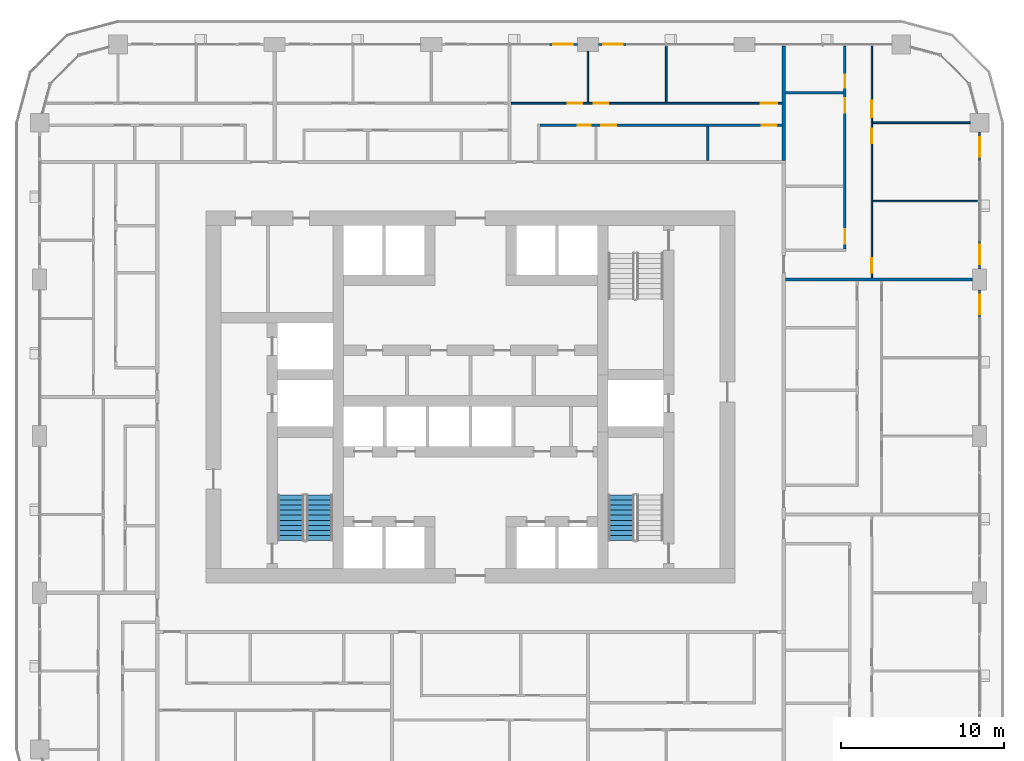
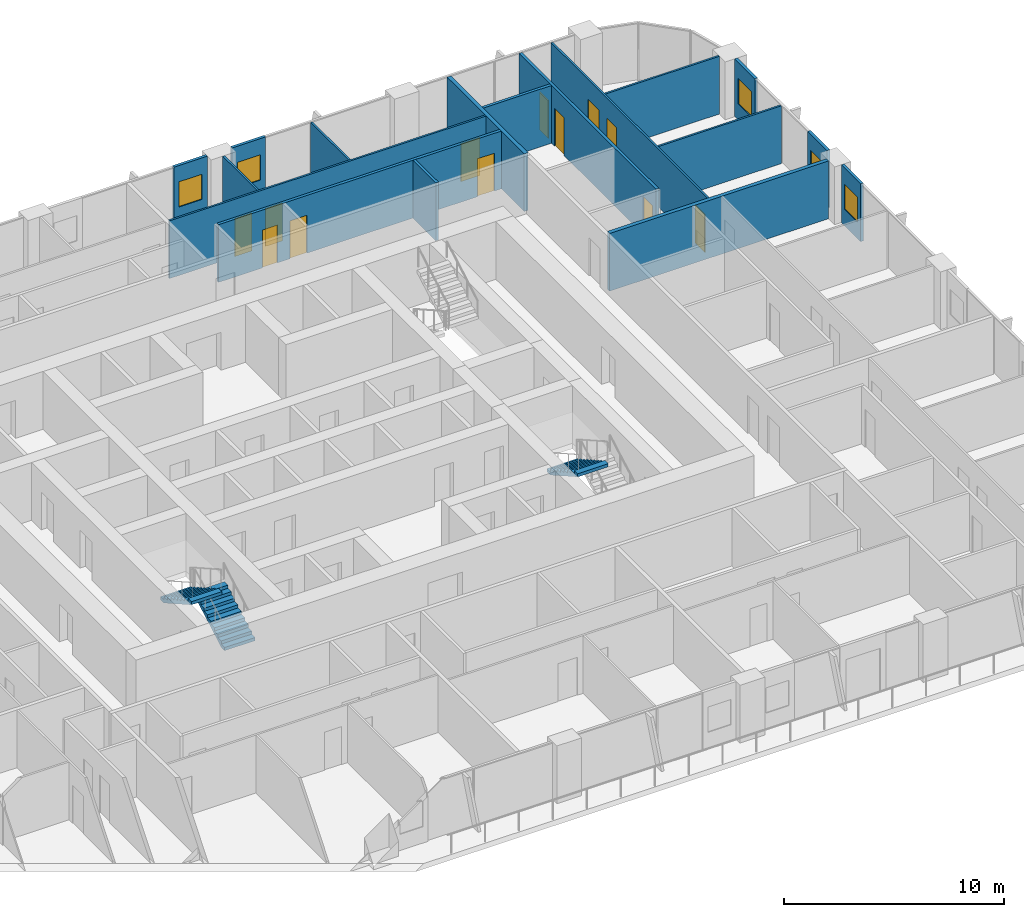
# One storey, part 15 of 22: 17 walls, 12 doors, 5 windows, 3 stair flights, 17 openings, 2 elements without a shape of their own.
"""IFC4 building model written with IfcOpenShell, lengths in metres."""

from ifc_helpers import new_model, si_unit, direction, frame, frame_2d, origin, place, context, subcontext, project, spatial, polyline, rectangle, outline, extrude, material, layer, layer_set, type_object, element, fill, aggregate, save


model = new_model("IFC4")

# Units and contexts
model_context = context("Model", 3, precision=1e-05, world=origin(), true_north=direction((0.0, 1.0)))
body_context = subcontext(model_context, "Body", "Model", "MODEL_VIEW")
ifc_project = project(units=[si_unit("LENGTHUNIT", "METRE"), si_unit("AREAUNIT", "SQUARE_METRE"), si_unit("VOLUMEUNIT", "CUBIC_METRE"), si_unit("PLANEANGLEUNIT", "RADIAN"), si_unit("MASSUNIT", "GRAM", prefix="KILO")], contexts=[model_context])

# Site, building, storey
site_placement = place(None, origin())
site = spatial("IfcSite", under=ifc_project, at=site_placement, CompositionType="ELEMENT")
building_placement = place(site_placement, origin())
building = spatial("IfcBuilding", under=site, at=building_placement, Name="Madar Terraces", CompositionType="ELEMENT")
storey_placement = place(building_placement, frame((0.0, 0.0, 69.800048828125)))
storey = spatial("IfcBuildingStorey", under=building, at=storey_placement, Name="L17", CompositionType="ELEMENT", Elevation=69.800048828125)

# Wall, opening, window
ifc_material_1 = material(Name="Aluminium composite panel, black, over insulated backing", Category="aluminium")
ifc_layer_1 = layer(ifc_material_1, 0.14990234375)
ifc_layer_set_1 = layer_set([ifc_layer_1], Name="Facade bay panel 150")
wall_type_1 = type_object("IfcWallType", Name="Facade bay panel 150", PredefinedType="SOLIDWALL", material=ifc_layer_set_1)
wall_1_placement = place(storey_placement, frame((62.39990234375, 31.199951171875, 0.0), z_axis=(0.0, 0.0, 1.0), x_axis=(0.0, 1.0, 0.0)))
wall_1 = element("IfcWall", 1, at=wall_1_placement, inside=storey, type_object=wall_type_1, Name="Facade bay panel", PredefinedType="SOLIDWALL", context=body_context, shape_type="SweptSolid", body=[
    extrude(rectangle(XDim=1.75, YDim=0.14990234375, at=frame_2d((0.875, 0.0))), origin(), (0.0, 0.0, 1.0), 3.199951171875),
])
opening_1_placement = place(wall_1_placement, frame((0.27490234375, 0.0, 0.89990234375)))
opening_1 = element("IfcOpeningElement", 2, at=opening_1_placement, cuts=wall_1, Name="Opening W1", PredefinedType="OPENING", context=body_context, shape_type="SweptSolid", body=[
    extrude(rectangle(XDim=1.199951171875, YDim=1.39990234375, at=frame_2d((0.60009765625, 0.699951171875))), frame((0.0, 0.0849609375, 0.0), z_axis=(0.0, -1.0, 0.0), x_axis=(1.0, 0.0, 0.0)), (0.0, 0.0, 1.0), 0.169921875),
])
ifc_material_2 = material(Name="Glass, clear, with black aluminium frame", Category="aluminium")
window_type = type_object("IfcWindowType", Name="Vent window 1200 x 1400", PartitioningType="SINGLE_PANEL", PredefinedType="WINDOW", material=ifc_material_2)
window_1_placement = place(opening_1_placement, origin())
window_1 = element("IfcWindow", 3, at=window_1_placement, inside=storey, type_object=window_type, Name="Operable vent window", OverallHeight=1.39990234375, OverallWidth=1.199951171875, PartitioningType="SINGLE_PANEL", PredefinedType="WINDOW", context=body_context, shape_type="SweptSolid", body=[
    extrude(rectangle(XDim=1.199951171875, YDim=1.39990234375, at=frame_2d((0.60009765625, 0.699951171875))), frame((0.0, 0.030029296875, 0.0), z_axis=(0.0, -1.0, 0.0), x_axis=(1.0, 0.0, 0.0)), (0.0, 0.0, 1.0), 0.06005859375),
])
fill(opening_1, window_1)

wall_2_placement = place(storey_placement, frame((62.39990234375, 34.25, 0.0), z_axis=(0.0, 0.0, 1.0), x_axis=(0.0, 1.0, 0.0)))
wall_2 = element("IfcWall", 4, at=wall_2_placement, inside=storey, type_object=wall_type_1, Name="Facade bay panel", PredefinedType="SOLIDWALL", context=body_context, shape_type="SweptSolid", body=[
    extrude(rectangle(XDim=1.75, YDim=0.14990234375, at=frame_2d((0.875, 0.0))), origin(), (0.0, 0.0, 1.0), 3.199951171875),
])
opening_2_placement = place(wall_2_placement, frame((0.27490234375, 0.0, 0.89990234375)))
opening_2 = element("IfcOpeningElement", 5, at=opening_2_placement, cuts=wall_2, Name="Opening W1", PredefinedType="OPENING", context=body_context, shape_type="SweptSolid", body=[
    extrude(rectangle(XDim=1.199951171875, YDim=1.39990234375, at=frame_2d((0.60009765625, 0.699951171875))), frame((0.0, 0.0849609375, 0.0), z_axis=(0.0, -1.0, 0.0), x_axis=(1.0, 0.0, 0.0)), (0.0, 0.0, 1.0), 0.169921875),
])
window_2_placement = place(opening_2_placement, origin())
window_2 = element("IfcWindow", 6, at=window_2_placement, inside=storey, type_object=window_type, Name="Operable vent window", OverallHeight=1.39990234375, OverallWidth=1.199951171875, PartitioningType="SINGLE_PANEL", PredefinedType="WINDOW", context=body_context, shape_type="SweptSolid", body=[
    extrude(rectangle(XDim=1.199951171875, YDim=1.39990234375, at=frame_2d((0.60009765625, 0.699951171875))), frame((0.0, 0.030029296875, 0.0), z_axis=(0.0, -1.0, 0.0), x_axis=(1.0, 0.0, 0.0)), (0.0, 0.0, 1.0), 0.06005859375),
])
fill(opening_2, window_2)

wall_3_placement = place(storey_placement, frame((62.39990234375, 40.800048828125, 0.0), z_axis=(0.0, 0.0, 1.0), x_axis=(0.0, 1.0, 0.0)))
wall_3 = element("IfcWall", 7, at=wall_3_placement, inside=storey, type_object=wall_type_1, Name="Facade bay panel", PredefinedType="SOLIDWALL", context=body_context, shape_type="SweptSolid", body=[
    extrude(rectangle(XDim=1.824951171875, YDim=0.14990234375, at=frame_2d((0.91259765625, 0.0))), origin(), (0.0, 0.0, 1.0), 3.199951171875),
])
opening_3_placement = place(wall_3_placement, frame((0.3125, 0.0, 0.89990234375)))
opening_3 = element("IfcOpeningElement", 8, at=opening_3_placement, cuts=wall_3, Name="Opening W1", PredefinedType="OPENING", context=body_context, shape_type="SweptSolid", body=[
    extrude(rectangle(XDim=1.199951171875, YDim=1.39990234375, at=frame_2d((0.60009765625, 0.699951171875))), frame((0.0, 0.0849609375, 0.0), z_axis=(0.0, -1.0, 0.0), x_axis=(1.0, 0.0, 0.0)), (0.0, 0.0, 1.0), 0.169921875),
])
window_3_placement = place(opening_3_placement, origin())
window_3 = element("IfcWindow", 9, at=window_3_placement, inside=storey, type_object=window_type, Name="Operable vent window", OverallHeight=1.39990234375, OverallWidth=1.199951171875, PartitioningType="SINGLE_PANEL", PredefinedType="WINDOW", context=body_context, shape_type="SweptSolid", body=[
    extrude(rectangle(XDim=1.199951171875, YDim=1.39990234375, at=frame_2d((0.60009765625, 0.699951171875))), frame((0.0, 0.030029296875, 0.0), z_axis=(0.0, -1.0, 0.0), x_axis=(1.0, 0.0, 0.0)), (0.0, 0.0, 1.0), 0.06005859375),
])
fill(opening_3, window_3)

wall_4_placement = place(storey_placement, frame((40.800048828125, 48.0, 0.0), z_axis=(0.0, 0.0, 1.0), x_axis=(-1.0, 0.0, 0.0)))
wall_4 = element("IfcWall", 10, at=wall_4_placement, inside=storey, type_object=wall_type_1, Name="Facade bay panel", PredefinedType="SOLIDWALL", context=body_context, shape_type="SweptSolid", body=[
    extrude(rectangle(XDim=1.75, YDim=0.14990234375, at=frame_2d((0.875, 0.0))), origin(), (0.0, 0.0, 1.0), 3.199951171875),
])
opening_4_placement = place(wall_4_placement, frame((0.27490234375, 0.0, 0.89990234375)))
opening_4 = element("IfcOpeningElement", 11, at=opening_4_placement, cuts=wall_4, Name="Opening W1", PredefinedType="OPENING", context=body_context, shape_type="SweptSolid", body=[
    extrude(rectangle(XDim=1.199951171875, YDim=1.39990234375, at=frame_2d((0.60009765625, 0.699951171875))), frame((0.0, 0.0849609375, 0.0), z_axis=(0.0, -1.0, 0.0), x_axis=(1.0, 0.0, 0.0)), (0.0, 0.0, 1.0), 0.169921875),
])
window_4_placement = place(opening_4_placement, origin())
window_4 = element("IfcWindow", 12, at=window_4_placement, inside=storey, type_object=window_type, Name="Operable vent window", OverallHeight=1.39990234375, OverallWidth=1.199951171875, PartitioningType="SINGLE_PANEL", PredefinedType="WINDOW", context=body_context, shape_type="SweptSolid", body=[
    extrude(rectangle(XDim=1.199951171875, YDim=1.39990234375, at=frame_2d((0.60009765625, 0.699951171875))), frame((0.0, 0.030029296875, 0.0), z_axis=(0.0, -1.0, 0.0), x_axis=(1.0, 0.0, 0.0)), (0.0, 0.0, 1.0), 0.06005859375),
])
fill(opening_4, window_4)

wall_5_placement = place(storey_placement, frame((37.75, 48.0, 0.0), z_axis=(0.0, 0.0, 1.0), x_axis=(-1.0, 0.0, 0.0)))
wall_5 = element("IfcWall", 13, at=wall_5_placement, inside=storey, type_object=wall_type_1, Name="Facade bay panel", PredefinedType="SOLIDWALL", context=body_context, shape_type="SweptSolid", body=[
    extrude(rectangle(XDim=1.75, YDim=0.14990234375, at=frame_2d((0.875, 0.0))), origin(), (0.0, 0.0, 1.0), 3.199951171875),
])
opening_5_placement = place(wall_5_placement, frame((0.27490234375, 0.0, 0.89990234375)))
opening_5 = element("IfcOpeningElement", 14, at=opening_5_placement, cuts=wall_5, Name="Opening W1", PredefinedType="OPENING", context=body_context, shape_type="SweptSolid", body=[
    extrude(rectangle(XDim=1.199951171875, YDim=1.39990234375, at=frame_2d((0.60009765625, 0.699951171875))), frame((0.0, 0.0849609375, 0.0), z_axis=(0.0, -1.0, 0.0), x_axis=(1.0, 0.0, 0.0)), (0.0, 0.0, 1.0), 0.169921875),
])
window_5_placement = place(opening_5_placement, origin())
window_5 = element("IfcWindow", 15, at=window_5_placement, inside=storey, type_object=window_type, Name="Operable vent window", OverallHeight=1.39990234375, OverallWidth=1.199951171875, PartitioningType="SINGLE_PANEL", PredefinedType="WINDOW", context=body_context, shape_type="SweptSolid", body=[
    extrude(rectangle(XDim=1.199951171875, YDim=1.39990234375, at=frame_2d((0.60009765625, 0.699951171875))), frame((0.0, 0.030029296875, 0.0), z_axis=(0.0, -1.0, 0.0), x_axis=(1.0, 0.0, 0.0)), (0.0, 0.0, 1.0), 0.06005859375),
])
fill(opening_5, window_5)

# Walls
ifc_material_3 = material(Name="Gypsum board on steel studs", Category="steel")
ifc_layer_2 = layer(ifc_material_3, 0.10009765625)
ifc_layer_set_2 = layer_set([ifc_layer_2], Name="Flat partition 100")
wall_type_2 = type_object("IfcWallType", Name="Flat partition 100", PredefinedType="PARTITIONING", material=ifc_layer_set_2)
wall_6_placement = place(storey_placement, frame((55.85009765625, 38.39990234375, 0.0), z_axis=(0.0, 0.0, 1.0), x_axis=(1.0, 0.0, 0.0)))
element("IfcWall", 16, at=wall_6_placement, inside=storey, type_object=wall_type_2, Name="Flat partition 100", PredefinedType="PARTITIONING", context=body_context, shape_type="SweptSolid", body=[
    extrude(rectangle(XDim=6.449951171875, YDim=0.10009765625, at=frame_2d((3.22509765625, 0.0))), origin(), (0.0, 0.0, 1.0), 3.199951171875),
])
wall_7_placement = place(storey_placement, frame((55.85009765625, 43.199951171875, 0.0), z_axis=(0.0, 0.0, 1.0), x_axis=(1.0, 0.0, 0.0)))
element("IfcWall", 17, at=wall_7_placement, inside=storey, type_object=wall_type_2, Name="Flat partition 100", PredefinedType="PARTITIONING", context=body_context, shape_type="SweptSolid", body=[
    extrude(rectangle(XDim=5.974853515625, YDim=0.10009765625, at=frame_2d((2.9873046875, 0.0))), origin(), (0.0, 0.0, 1.0), 3.199951171875),
])

# Wall, openings, doors
wall_8_placement = place(storey_placement, frame((55.800048828125, 47.89990234375, 0.0), z_axis=(0.0, 0.0, 1.0), x_axis=(0.0, -1.0, 0.0)))
wall_8 = element("IfcWall", 18, at=wall_8_placement, inside=storey, type_object=wall_type_2, Name="Flat partition 100", PredefinedType="PARTITIONING", context=body_context, shape_type="SweptSolid", body=[
    extrude(rectangle(XDim=14.199951171875, YDim=0.10009765625, at=frame_2d((7.10009765625, 0.0))), origin(), (0.0, 0.0, 1.0), 3.199951171875),
])
opening_6_placement = place(wall_8_placement, frame((13.0, 0.0, 0.0)))
opening_6 = element("IfcOpeningElement", 19, at=opening_6_placement, cuts=wall_8, Name="Opening D2", PredefinedType="OPENING", context=body_context, shape_type="SweptSolid", body=[
    extrude(rectangle(XDim=0.89990234375, YDim=2.10009765625, at=frame_2d((0.449951171875, 1.050048828125))), frame((0.0, 0.06005859375, 0.0), z_axis=(0.0, -1.0, 0.0), x_axis=(1.0, 0.0, 0.0)), (0.0, 0.0, 1.0), 0.1201171875),
])
opening_7_placement = place(wall_8_placement, frame((5.050048828125, 0.0, 0.0)))
opening_7 = element("IfcOpeningElement", 20, at=opening_7_placement, cuts=wall_8, Name="Opening D2", PredefinedType="OPENING", context=body_context, shape_type="SweptSolid", body=[
    extrude(rectangle(XDim=0.89990234375, YDim=2.10009765625, at=frame_2d((0.449951171875, 1.050048828125))), frame((0.0, 0.06005859375, 0.0), z_axis=(0.0, -1.0, 0.0), x_axis=(1.0, 0.0, 0.0)), (0.0, 0.0, 1.0), 0.1201171875),
])
opening_8_placement = place(wall_8_placement, frame((3.35009765625, 0.0, 0.0)))
opening_8 = element("IfcOpeningElement", 21, at=opening_8_placement, cuts=wall_8, Name="Opening D3", PredefinedType="OPENING", context=body_context, shape_type="SweptSolid", body=[
    extrude(rectangle(XDim=1.0, YDim=2.10009765625, at=frame_2d((0.5, 1.050048828125))), frame((0.0, 0.06005859375, 0.0), z_axis=(0.0, -1.0, 0.0), x_axis=(1.0, 0.0, 0.0)), (0.0, 0.0, 1.0), 0.1201171875),
])
ifc_material_4 = material(Name="Timber door leaf", Category="wood")
door_type_1 = type_object("IfcDoorType", Name="Flat living room door 1000", OperationType="NOTDEFINED", PredefinedType="DOOR", material=ifc_material_4)
door_1_placement = place(opening_8_placement, origin())
door_1 = element("IfcDoor", 22, at=door_1_placement, inside=storey, type_object=door_type_1, Name="Flat living room door 1000", OperationType="SINGLE_SWING_RIGHT", OverallHeight=2.10009765625, OverallWidth=1.0, PredefinedType="DOOR", context=body_context, shape_type="SweptSolid", body=[
    extrude(rectangle(XDim=1.0, YDim=2.10009765625, at=frame_2d((0.5, 1.050048828125))), frame((0.0, 0.02490234375, 0.0), z_axis=(0.0, -1.0, 0.0), x_axis=(1.0, 0.0, 0.0)), (0.0, 0.0, 1.0), 0.050048828125),
])
fill(opening_8, door_1)
ifc_material_5 = material(Name="Timber door leaf", Category="wood")
door_type_2 = type_object("IfcDoorType", Name="Flat room door 900", OperationType="NOTDEFINED", PredefinedType="DOOR", material=ifc_material_5)
door_2_placement = place(opening_6_placement, origin())
door_2 = element("IfcDoor", 23, at=door_2_placement, inside=storey, type_object=door_type_2, Name="Flat room door 900", OperationType="SINGLE_SWING_RIGHT", OverallHeight=2.10009765625, OverallWidth=0.89990234375, PredefinedType="DOOR", context=body_context, shape_type="SweptSolid", body=[
    extrude(rectangle(XDim=0.89990234375, YDim=2.10009765625, at=frame_2d((0.449951171875, 1.050048828125))), frame((0.0, 0.02490234375, 0.0), z_axis=(0.0, -1.0, 0.0), x_axis=(1.0, 0.0, 0.0)), (0.0, 0.0, 1.0), 0.050048828125),
])
fill(opening_6, door_2)
door_3_placement = place(opening_7_placement, origin())
door_3 = element("IfcDoor", 24, at=door_3_placement, inside=storey, type_object=door_type_2, Name="Flat room door 900", OperationType="SINGLE_SWING_LEFT", OverallHeight=2.10009765625, OverallWidth=0.89990234375, PredefinedType="DOOR", context=body_context, shape_type="SweptSolid", body=[
    extrude(rectangle(XDim=0.89990234375, YDim=2.10009765625, at=frame_2d((0.449951171875, 1.050048828125))), frame((0.0, 0.02490234375, 0.0), z_axis=(0.0, -1.0, 0.0), x_axis=(1.0, 0.0, 0.0)), (0.0, 0.0, 1.0), 0.050048828125),
])
fill(opening_7, door_3)

# Walls
wall_9_placement = place(storey_placement, frame((38.39990234375, 44.449951171875, 0.0), z_axis=(0.0, 0.0, 1.0), x_axis=(0.0, 1.0, 0.0)))
element("IfcWall", 25, at=wall_9_placement, inside=storey, type_object=wall_type_2, Name="Flat partition 100", PredefinedType="PARTITIONING", context=body_context, shape_type="SweptSolid", body=[
    extrude(rectangle(XDim=3.125, YDim=0.10009765625, at=frame_2d((1.5625, 0.0))), origin(), (0.0, 0.0, 1.0), 3.199951171875),
])
wall_10_placement = place(storey_placement, frame((43.199951171875, 44.449951171875, 0.0), z_axis=(0.0, 0.0, 1.0), x_axis=(0.0, 1.0, 0.0)))
element("IfcWall", 26, at=wall_10_placement, inside=storey, type_object=wall_type_2, Name="Flat partition 100", PredefinedType="PARTITIONING", context=body_context, shape_type="SweptSolid", body=[
    extrude(rectangle(XDim=3.449951171875, YDim=0.10009765625, at=frame_2d((1.72509765625, 0.0))), origin(), (0.0, 0.0, 1.0), 3.199951171875),
])

# Wall, openings, doors
wall_11_placement = place(storey_placement, frame((33.699951171875, 44.39990234375, 0.0), z_axis=(0.0, 0.0, 1.0), x_axis=(1.0, 0.0, 0.0)))
wall_11 = element("IfcWall", 27, at=wall_11_placement, inside=storey, type_object=wall_type_2, Name="Flat partition 100", PredefinedType="PARTITIONING", context=body_context, shape_type="SweptSolid", body=[
    extrude(rectangle(XDim=16.60009765625, YDim=0.10009765625, at=frame_2d((8.300048828125, 0.0))), origin(), (0.0, 0.0, 1.0), 3.199951171875),
])
opening_9_placement = place(wall_11_placement, frame((3.449951171875, 0.0, 0.0)))
opening_9 = element("IfcOpeningElement", 28, at=opening_9_placement, cuts=wall_11, Name="Opening D2", PredefinedType="OPENING", context=body_context, shape_type="SweptSolid", body=[
    extrude(rectangle(XDim=0.89990234375, YDim=2.10009765625, at=frame_2d((0.449951171875, 1.050048828125))), frame((0.0, 0.06005859375, 0.0), z_axis=(0.0, -1.0, 0.0), x_axis=(1.0, 0.0, 0.0)), (0.0, 0.0, 1.0), 0.1201171875),
])
opening_10_placement = place(wall_11_placement, frame((5.050048828125, 0.0, 0.0)))
opening_10 = element("IfcOpeningElement", 29, at=opening_10_placement, cuts=wall_11, Name="Opening D2", PredefinedType="OPENING", context=body_context, shape_type="SweptSolid", body=[
    extrude(rectangle(XDim=0.89990234375, YDim=2.10009765625, at=frame_2d((0.449951171875, 1.050048828125))), frame((0.0, 0.06005859375, 0.0), z_axis=(0.0, -1.0, 0.0), x_axis=(1.0, 0.0, 0.0)), (0.0, 0.0, 1.0), 0.1201171875),
])
opening_11_placement = place(wall_11_placement, frame((15.300048828125, 0.0, 0.0)))
opening_11 = element("IfcOpeningElement", 30, at=opening_11_placement, cuts=wall_11, Name="Opening D3", PredefinedType="OPENING", context=body_context, shape_type="SweptSolid", body=[
    extrude(rectangle(XDim=1.0, YDim=2.10009765625, at=frame_2d((0.5, 1.050048828125))), frame((0.0, 0.06005859375, 0.0), z_axis=(0.0, -1.0, 0.0), x_axis=(1.0, 0.0, 0.0)), (0.0, 0.0, 1.0), 0.1201171875),
])
door_4_placement = place(opening_11_placement, origin())
door_4 = element("IfcDoor", 31, at=door_4_placement, inside=storey, type_object=door_type_1, Name="Flat living room door 1000", OperationType="SINGLE_SWING_RIGHT", OverallHeight=2.10009765625, OverallWidth=1.0, PredefinedType="DOOR", context=body_context, shape_type="SweptSolid", body=[
    extrude(rectangle(XDim=1.0, YDim=2.10009765625, at=frame_2d((0.5, 1.050048828125))), frame((0.0, 0.02490234375, 0.0), z_axis=(0.0, -1.0, 0.0), x_axis=(1.0, 0.0, 0.0)), (0.0, 0.0, 1.0), 0.050048828125),
])
fill(opening_11, door_4)
door_5_placement = place(opening_9_placement, origin())
door_5 = element("IfcDoor", 32, at=door_5_placement, inside=storey, type_object=door_type_2, Name="Flat room door 900", OperationType="SINGLE_SWING_RIGHT", OverallHeight=2.10009765625, OverallWidth=0.89990234375, PredefinedType="DOOR", context=body_context, shape_type="SweptSolid", body=[
    extrude(rectangle(XDim=0.89990234375, YDim=2.10009765625, at=frame_2d((0.449951171875, 1.050048828125))), frame((0.0, 0.02490234375, 0.0), z_axis=(0.0, -1.0, 0.0), x_axis=(1.0, 0.0, 0.0)), (0.0, 0.0, 1.0), 0.050048828125),
])
fill(opening_9, door_5)
door_6_placement = place(opening_10_placement, origin())
door_6 = element("IfcDoor", 33, at=door_6_placement, inside=storey, type_object=door_type_2, Name="Flat room door 900", OperationType="SINGLE_SWING_LEFT", OverallHeight=2.10009765625, OverallWidth=0.89990234375, PredefinedType="DOOR", context=body_context, shape_type="SweptSolid", body=[
    extrude(rectangle(XDim=0.89990234375, YDim=2.10009765625, at=frame_2d((0.449951171875, 1.050048828125))), frame((0.0, 0.02490234375, 0.0), z_axis=(0.0, -1.0, 0.0), x_axis=(1.0, 0.0, 0.0)), (0.0, 0.0, 1.0), 0.050048828125),
])
fill(opening_10, door_6)

# Walls
ifc_material_6 = material(Name="Lightweight blockwork", Category="masonry")
ifc_layer_3 = layer(ifc_material_6, 0.199951171875)
ifc_layer_set_3 = layer_set([ifc_layer_3], Name="Flat party and entrance wall 200")
wall_type_3 = type_object("IfcWallType", Name="Flat party and entrance wall 200", PredefinedType="PARTITIONING", material=ifc_layer_set_3)
wall_12_placement = place(storey_placement, frame((50.5, 33.60009765625, 0.0), z_axis=(0.0, 0.0, 1.0), x_axis=(1.0, 0.0, 0.0)))
element("IfcWall", 34, at=wall_12_placement, inside=storey, type_object=wall_type_3, Name="Flat party and entrance wall 200", PredefinedType="PARTITIONING", context=body_context, shape_type="SweptSolid", body=[
    extrude(rectangle(XDim=11.47509765625, YDim=0.199951171875, at=frame_2d((5.737548828125, 0.0))), origin(), (0.0, 0.0, 1.0), 3.199951171875),
])
wall_13_placement = place(storey_placement, frame((50.39990234375, 40.89990234375, 0.0), z_axis=(0.0, 0.0, 1.0), x_axis=(0.0, 1.0, 0.0)))
element("IfcWall", 35, at=wall_13_placement, inside=storey, type_object=wall_type_3, Name="Flat party and entrance wall 200", PredefinedType="PARTITIONING", context=body_context, shape_type="SweptSolid", body=[
    extrude(rectangle(XDim=7.0, YDim=0.199951171875, at=frame_2d((3.5, 0.0))), origin(), (0.0, 0.0, 1.0), 3.199951171875),
])
ifc_material_7 = material(Name="Lightweight blockwork", Category="masonry")
ifc_layer_4 = layer(ifc_material_7, 0.14990234375)
ifc_layer_set_4 = layer_set([ifc_layer_4], Name="Flat wet-room partition 150")
wall_type_4 = type_object("IfcWallType", Name="Flat wet-room partition 150", PredefinedType="PARTITIONING", material=ifc_layer_set_4)
wall_14_placement = place(storey_placement, frame((50.5, 45.03271484375, 0.0), z_axis=(0.0, 0.0, 1.0), x_axis=(1.0, 0.0, 0.0)))
element("IfcWall", 36, at=wall_14_placement, inside=storey, type_object=wall_type_4, Name="Flat wet-room partition 150", PredefinedType="PARTITIONING", context=body_context, shape_type="SweptSolid", body=[
    extrude(rectangle(XDim=3.574951171875, YDim=0.14990234375, at=frame_2d((1.78759765625, 0.0))), origin(), (0.0, 0.0, 1.0), 3.199951171875),
])

# Wall, openings, doors
wall_15_placement = place(storey_placement, frame((54.14990234375, 35.47509765625, 0.0), z_axis=(0.0, 0.0, 1.0), x_axis=(0.0, 1.0, 0.0)))
wall_15 = element("IfcWall", 37, at=wall_15_placement, inside=storey, type_object=wall_type_4, Name="Flat wet-room partition 150", PredefinedType="PARTITIONING", context=body_context, shape_type="SweptSolid", body=[
    extrude(rectangle(XDim=12.4248046875, YDim=0.14990234375, at=frame_2d((6.21240234375, 0.0))), origin(), (0.0, 0.0, 1.0), 3.199951171875),
])
opening_12_placement = place(wall_15_placement, frame((0.300048828125, 0.0, 0.0)))
opening_12 = element("IfcOpeningElement", 38, at=opening_12_placement, cuts=wall_15, Name="Opening D5", PredefinedType="OPENING", context=body_context, shape_type="SweptSolid", body=[
    extrude(rectangle(XDim=0.89990234375, YDim=2.10009765625, at=frame_2d((0.449951171875, 1.050048828125))), frame((0.0, 0.0849609375, 0.0), z_axis=(0.0, -1.0, 0.0), x_axis=(1.0, 0.0, 0.0)), (0.0, 0.0, 1.0), 0.169921875),
])
opening_13_placement = place(wall_15_placement, frame((8.332763671875, 0.0, 0.0)))
opening_13 = element("IfcOpeningElement", 39, at=opening_13_placement, cuts=wall_15, Name="Opening D2", PredefinedType="OPENING", context=body_context, shape_type="SweptSolid", body=[
    extrude(rectangle(XDim=0.89990234375, YDim=2.10009765625, at=frame_2d((0.449951171875, 1.050048828125))), frame((0.0, 0.0849609375, 0.0), z_axis=(0.0, -1.0, 0.0), x_axis=(1.0, 0.0, 0.0)), (0.0, 0.0, 1.0), 0.169921875),
])
opening_14_placement = place(wall_15_placement, frame((9.8828125, 0.0, 0.0)))
opening_14 = element("IfcOpeningElement", 40, at=opening_14_placement, cuts=wall_15, Name="Opening D4", PredefinedType="OPENING", context=body_context, shape_type="SweptSolid", body=[
    extrude(rectangle(XDim=0.800048828125, YDim=2.10009765625, at=frame_2d((0.39990234375, 1.050048828125))), frame((0.0, 0.0849609375, 0.0), z_axis=(0.0, -1.0, 0.0), x_axis=(1.0, 0.0, 0.0)), (0.0, 0.0, 1.0), 0.169921875),
])
ifc_material_8 = material(Name="Timber door leaf", Category="wood")
door_type_3 = type_object("IfcDoorType", Name="Flat accessible bathroom door 900", OperationType="NOTDEFINED", PredefinedType="DOOR", material=ifc_material_8)
door_7_placement = place(opening_12_placement, origin())
door_7 = element("IfcDoor", 41, at=door_7_placement, inside=storey, type_object=door_type_3, Name="Flat accessible bathroom door 900", OperationType="SINGLE_SWING_LEFT", OverallHeight=2.10009765625, OverallWidth=0.89990234375, PredefinedType="DOOR", context=body_context, shape_type="SweptSolid", body=[
    extrude(rectangle(XDim=0.89990234375, YDim=2.10009765625, at=frame_2d((0.449951171875, 1.050048828125))), frame((0.0, 0.02490234375, 0.0), z_axis=(0.0, -1.0, 0.0), x_axis=(1.0, 0.0, 0.0)), (0.0, 0.0, 1.0), 0.050048828125),
])
fill(opening_12, door_7)
ifc_material_9 = material(Name="Timber door leaf", Category="wood")
door_type_4 = type_object("IfcDoorType", Name="Flat bathroom door 800", OperationType="NOTDEFINED", PredefinedType="DOOR", material=ifc_material_9)
door_8_placement = place(opening_14_placement, origin())
door_8 = element("IfcDoor", 42, at=door_8_placement, inside=storey, type_object=door_type_4, Name="Flat bathroom door 800", OperationType="SINGLE_SWING_LEFT", OverallHeight=2.10009765625, OverallWidth=0.800048828125, PredefinedType="DOOR", context=body_context, shape_type="SweptSolid", body=[
    extrude(rectangle(XDim=0.800048828125, YDim=2.10009765625, at=frame_2d((0.39990234375, 1.050048828125))), frame((0.0, 0.02490234375, 0.0), z_axis=(0.0, -1.0, 0.0), x_axis=(1.0, 0.0, 0.0)), (0.0, 0.0, 1.0), 0.050048828125),
])
fill(opening_14, door_8)
door_9_placement = place(opening_13_placement, origin())
door_9 = element("IfcDoor", 43, at=door_9_placement, inside=storey, type_object=door_type_2, Name="Flat room door 900", OperationType="SINGLE_SWING_RIGHT", OverallHeight=2.10009765625, OverallWidth=0.89990234375, PredefinedType="DOOR", context=body_context, shape_type="SweptSolid", body=[
    extrude(rectangle(XDim=0.89990234375, YDim=2.10009765625, at=frame_2d((0.449951171875, 1.050048828125))), frame((0.0, 0.02490234375, 0.0), z_axis=(0.0, -1.0, 0.0), x_axis=(1.0, 0.0, 0.0)), (0.0, 0.0, 1.0), 0.050048828125),
])
fill(opening_13, door_9)

# Wall
wall_16_placement = place(storey_placement, frame((45.738525390625, 40.89990234375, 0.0), z_axis=(0.0, 0.0, 1.0), x_axis=(0.0, 1.0, 0.0)))
element("IfcWall", 44, at=wall_16_placement, inside=storey, type_object=wall_type_4, Name="Flat wet-room partition 150", PredefinedType="PARTITIONING", context=body_context, shape_type="SweptSolid", body=[
    extrude(rectangle(XDim=2.0751953125, YDim=0.14990234375, at=frame_2d((1.03759765625, 0.0))), origin(), (0.0, 0.0, 1.0), 3.199951171875),
])

# Wall, openings, doors
wall_17_placement = place(storey_placement, frame((50.300048828125, 43.050048828125, 0.0), z_axis=(0.0, 0.0, 1.0), x_axis=(-1.0, 0.0, 0.0)))
wall_17 = element("IfcWall", 45, at=wall_17_placement, inside=storey, type_object=wall_type_4, Name="Flat wet-room partition 150", PredefinedType="PARTITIONING", context=body_context, shape_type="SweptSolid", body=[
    extrude(rectangle(XDim=14.824951171875, YDim=0.14990234375, at=frame_2d((7.41259765625, 0.0))), origin(), (0.0, 0.0, 1.0), 3.199951171875),
])
opening_15_placement = place(wall_17_placement, frame((11.728759765625, 0.0, 0.0)))
opening_15 = element("IfcOpeningElement", 46, at=opening_15_placement, cuts=wall_17, Name="Opening D4", PredefinedType="OPENING", context=body_context, shape_type="SweptSolid", body=[
    extrude(rectangle(XDim=0.800048828125, YDim=2.10009765625, at=frame_2d((0.39990234375, 1.050048828125))), frame((0.0, 0.0849609375, 0.0), z_axis=(0.0, -1.0, 0.0), x_axis=(1.0, 0.0, 0.0)), (0.0, 0.0, 1.0), 0.169921875),
])
opening_16_placement = place(wall_17_placement, frame((10.1787109375, 0.0, 0.0)))
opening_16 = element("IfcOpeningElement", 47, at=opening_16_placement, cuts=wall_17, Name="Opening D2", PredefinedType="OPENING", context=body_context, shape_type="SweptSolid", body=[
    extrude(rectangle(XDim=0.89990234375, YDim=2.10009765625, at=frame_2d((0.449951171875, 1.050048828125))), frame((0.0, 0.0849609375, 0.0), z_axis=(0.0, -1.0, 0.0), x_axis=(1.0, 0.0, 0.0)), (0.0, 0.0, 1.0), 0.169921875),
])
opening_17_placement = place(wall_17_placement, frame((0.35009765625, 0.0, 0.0)))
opening_17 = element("IfcOpeningElement", 48, at=opening_17_placement, cuts=wall_17, Name="Opening D5", PredefinedType="OPENING", context=body_context, shape_type="SweptSolid", body=[
    extrude(rectangle(XDim=0.89990234375, YDim=2.10009765625, at=frame_2d((0.449951171875, 1.050048828125))), frame((0.0, 0.0849609375, 0.0), z_axis=(0.0, -1.0, 0.0), x_axis=(1.0, 0.0, 0.0)), (0.0, 0.0, 1.0), 0.169921875),
])
door_10_placement = place(opening_17_placement, origin())
door_10 = element("IfcDoor", 49, at=door_10_placement, inside=storey, type_object=door_type_3, Name="Flat accessible bathroom door 900", OperationType="SINGLE_SWING_LEFT", OverallHeight=2.10009765625, OverallWidth=0.89990234375, PredefinedType="DOOR", context=body_context, shape_type="SweptSolid", body=[
    extrude(rectangle(XDim=0.89990234375, YDim=2.10009765625, at=frame_2d((0.449951171875, 1.050048828125))), frame((0.0, 0.02490234375, 0.0), z_axis=(0.0, -1.0, 0.0), x_axis=(1.0, 0.0, 0.0)), (0.0, 0.0, 1.0), 0.050048828125),
])
fill(opening_17, door_10)
door_11_placement = place(opening_15_placement, origin())
door_11 = element("IfcDoor", 50, at=door_11_placement, inside=storey, type_object=door_type_4, Name="Flat bathroom door 800", OperationType="SINGLE_SWING_LEFT", OverallHeight=2.10009765625, OverallWidth=0.800048828125, PredefinedType="DOOR", context=body_context, shape_type="SweptSolid", body=[
    extrude(rectangle(XDim=0.800048828125, YDim=2.10009765625, at=frame_2d((0.39990234375, 1.050048828125))), frame((0.0, 0.02490234375, 0.0), z_axis=(0.0, -1.0, 0.0), x_axis=(1.0, 0.0, 0.0)), (0.0, 0.0, 1.0), 0.050048828125),
])
fill(opening_15, door_11)
door_12_placement = place(opening_16_placement, origin())
door_12 = element("IfcDoor", 51, at=door_12_placement, inside=storey, type_object=door_type_2, Name="Flat room door 900", OperationType="SINGLE_SWING_RIGHT", OverallHeight=2.10009765625, OverallWidth=0.89990234375, PredefinedType="DOOR", context=body_context, shape_type="SweptSolid", body=[
    extrude(rectangle(XDim=0.89990234375, YDim=2.10009765625, at=frame_2d((0.449951171875, 1.050048828125))), frame((0.0, 0.02490234375, 0.0), z_axis=(0.0, -1.0, 0.0), x_axis=(1.0, 0.0, 0.0)), (0.0, 0.0, 1.0), 0.050048828125),
])
fill(opening_16, door_12)

# Stair, stair flights
ifc_material_10 = material(Name="Concrete C50/60", Category="concrete")
stair_type_1 = type_object("IfcStairType", Name="Stair ST1 protected exit", PredefinedType="HALF_TURN_STAIR", material=ifc_material_10)
stair_1_placement = place(storey_placement, origin())
stair_1 = element("IfcStair", 52, at=stair_1_placement, inside=storey, type_object=stair_type_1, Name="L17 Protected Exit Stair ST1", PredefinedType="HALF_TURN_STAIR")
ifc_material_11 = material(Name="Concrete C50/60", Category="concrete")
stair_flight_type_1 = type_object("IfcStairFlightType", Name="Stair flight ST1-F4, 1600 wide, 10 risers", PredefinedType="STRAIGHT", material=ifc_material_11)
stair_flight_1_placement = place(storey_placement, frame((21.949951171875, 17.60009765625, 0.0), z_axis=(0.0, 0.0, 1.0), x_axis=(0.0, 1.0, 0.0)))
stair_flight_1 = element("IfcStairFlight", 53, at=stair_flight_1_placement, type_object=stair_flight_type_1, Name="ST1 flight 1", NumberOfRisers=10, NumberOfTreads=9, PredefinedType="STRAIGHT", RiserHeight=0.175, TreadLength=0.31, context=body_context, shape_type="SweptSolid", body=[
    extrude(outline(polyline([(0.0, 0.0), (0.0, 0.175048828125), (0.31005859375, 0.175048828125), (0.31005859375, 0.35009765625), (0.6201171875, 0.35009765625), (0.6201171875, 0.52490234375), (0.929931640625, 0.52490234375), (0.929931640625, 0.699951171875), (1.239990234375, 0.699951171875), (1.239990234375, 0.875), (1.550048828125, 0.875), (1.550048828125, 1.050048828125), (1.860107421875, 1.050048828125), (1.860107421875, 1.22509765625), (2.169921875, 1.22509765625), (2.169921875, 1.39990234375), (2.47998046875, 1.39990234375), (2.47998046875, 1.574951171875), (2.7900390625, 1.574951171875), (2.7900390625, 1.75), (2.7900390625, 1.40283203125), (0.304931640625, 0.0), (0.0, 0.0)])), frame((0.0, 0.800048828125, 0.0), z_axis=(0.0, -1.0, 0.0), x_axis=(1.0, 0.0, 0.0)), (0.0, 0.0, 1.0), 1.60009765625),
])
stair_flight_2_placement = place(storey_placement, frame((20.199951171875, 20.389892578125, 1.75), z_axis=(0.0, 0.0, 1.0), x_axis=(0.0, -1.0, 0.0)))
stair_flight_2 = element("IfcStairFlight", 54, at=stair_flight_2_placement, type_object=stair_flight_type_1, Name="ST1 flight 2", NumberOfRisers=10, NumberOfTreads=9, PredefinedType="STRAIGHT", RiserHeight=0.175, TreadLength=0.31, context=body_context, shape_type="SweptSolid", body=[
    extrude(outline(polyline([(0.0, 0.0), (0.0, 0.175048828125), (0.31005859375, 0.175048828125), (0.31005859375, 0.35009765625), (0.6201171875, 0.35009765625), (0.6201171875, 0.52490234375), (0.929931640625, 0.52490234375), (0.929931640625, 0.699951171875), (1.239990234375, 0.699951171875), (1.239990234375, 0.875), (1.550048828125, 0.875), (1.550048828125, 1.050048828125), (1.860107421875, 1.050048828125), (1.860107421875, 1.22509765625), (2.169921875, 1.22509765625), (2.169921875, 1.39990234375), (2.47998046875, 1.39990234375), (2.47998046875, 1.574951171875), (2.7900390625, 1.574951171875), (2.7900390625, 1.75), (2.7900390625, 1.40283203125), (0.304931640625, 0.0), (0.0, 0.0)])), frame((0.0, 0.800048828125, 0.0), z_axis=(0.0, -1.0, 0.0), x_axis=(1.0, 0.0, 0.0)), (0.0, 0.0, 1.0), 1.60009765625),
])
aggregate(stair_1, [stair_flight_1, stair_flight_2])

# Stair, stair flight
ifc_material_12 = material(Name="Concrete C50/60", Category="concrete")
stair_type_2 = type_object("IfcStairType", Name="Stair ST3 protected exit", PredefinedType="HALF_TURN_STAIR", material=ifc_material_12)
stair_2_placement = place(storey_placement, origin())
stair_2 = element("IfcStair", 55, at=stair_2_placement, inside=storey, type_object=stair_type_2, Name="L17 Protected Exit Stair ST3", PredefinedType="HALF_TURN_STAIR")
ifc_material_13 = material(Name="Concrete C50/60", Category="concrete")
stair_flight_type_2 = type_object("IfcStairFlightType", Name="Stair flight ST3-F4, 1600 wide, 10 risers", PredefinedType="STRAIGHT", material=ifc_material_13)
stair_flight_3_placement = place(storey_placement, frame((40.449951171875, 20.389892578125, 1.75), z_axis=(0.0, 0.0, 1.0), x_axis=(0.0, -1.0, 0.0)))
stair_flight_3 = element("IfcStairFlight", 56, at=stair_flight_3_placement, type_object=stair_flight_type_2, Name="ST3 flight 2", NumberOfRisers=10, NumberOfTreads=9, PredefinedType="STRAIGHT", RiserHeight=0.175, TreadLength=0.31, context=body_context, shape_type="SweptSolid", body=[
    extrude(outline(polyline([(0.0, 0.0), (0.0, 0.175048828125), (0.31005859375, 0.175048828125), (0.31005859375, 0.35009765625), (0.6201171875, 0.35009765625), (0.6201171875, 0.52490234375), (0.929931640625, 0.52490234375), (0.929931640625, 0.699951171875), (1.239990234375, 0.699951171875), (1.239990234375, 0.875), (1.550048828125, 0.875), (1.550048828125, 1.050048828125), (1.860107421875, 1.050048828125), (1.860107421875, 1.22509765625), (2.169921875, 1.22509765625), (2.169921875, 1.39990234375), (2.47998046875, 1.39990234375), (2.47998046875, 1.574951171875), (2.7900390625, 1.574951171875), (2.7900390625, 1.75), (2.7900390625, 1.40283203125), (0.304931640625, 0.0), (0.0, 0.0)])), frame((0.0, 0.800048828125, 0.0), z_axis=(0.0, -1.0, 0.0), x_axis=(1.0, 0.0, 0.0)), (0.0, 0.0, 1.0), 1.60009765625),
])
aggregate(stair_2, [stair_flight_3])

save(model, "model.ifc")
